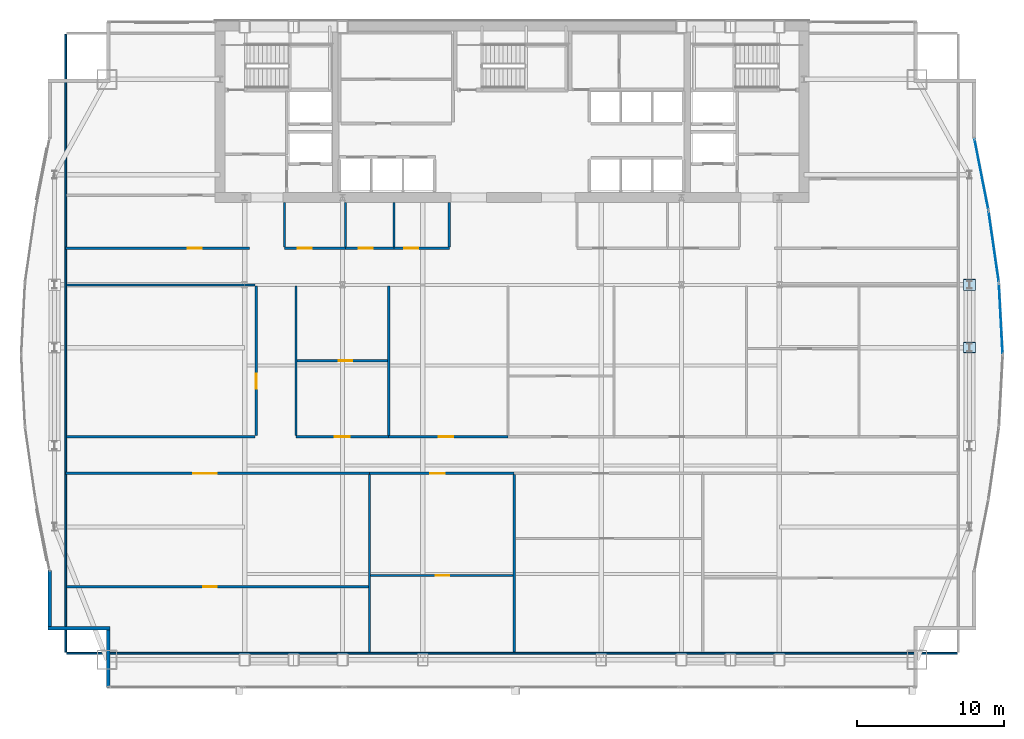
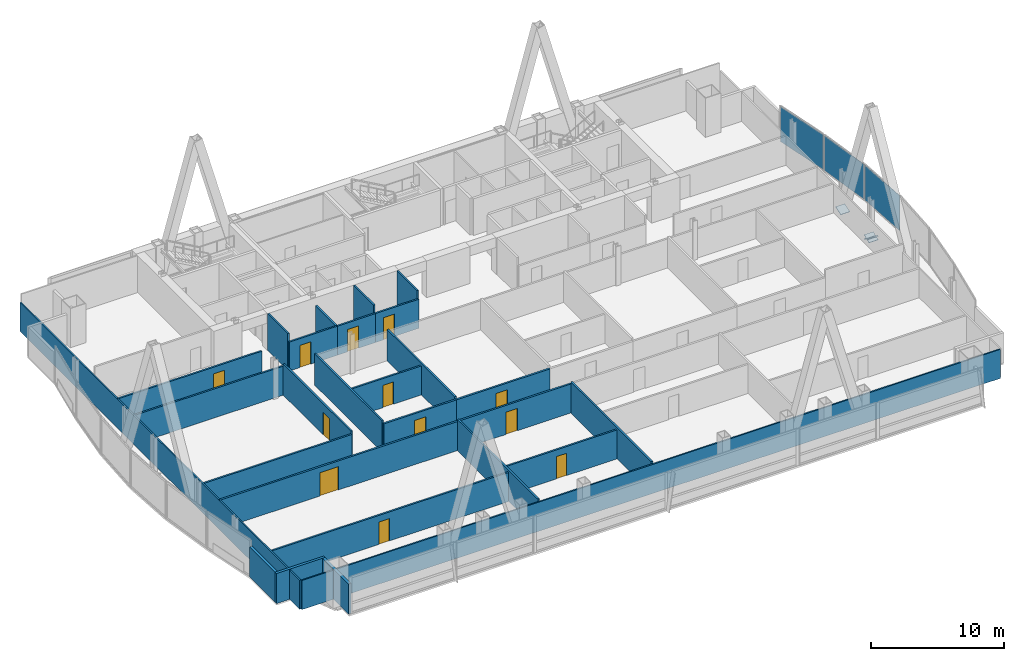
# One storey, part 26 of 31: 27 walls, 12 doors, 6 plates, 12 openings, 3 elements without a shape of their own.
"""IFC4 building model written with IfcOpenShell, lengths in metres."""

from ifc_helpers import new_model, si_unit, direction, frame, frame_2d, origin, origin_2d, place, context, subcontext, project, spatial, polyline, rectangle, outline, extrude, material, layer, layer_set, type_object, element, fill, aggregate, save


model = new_model("IFC4")

# Units and contexts
model_context = context("Model", 3, precision=1e-05, world=origin(), true_north=direction((0.0, 1.0)))
body_context = subcontext(model_context, "Body", "Model", "MODEL_VIEW")
ifc_project = project(units=[si_unit("LENGTHUNIT", "METRE"), si_unit("AREAUNIT", "SQUARE_METRE"), si_unit("VOLUMEUNIT", "CUBIC_METRE"), si_unit("PLANEANGLEUNIT", "RADIAN"), si_unit("MASSUNIT", "GRAM", prefix="KILO")], contexts=[model_context])

# Site, building, storey
site_placement = place(None, origin())
site = spatial("IfcSite", under=ifc_project, at=site_placement, CompositionType="ELEMENT")
building_placement = place(site_placement, origin())
building = spatial("IfcBuilding", under=site, at=building_placement, Name="Khoronbel Lancet Exchange", CompositionType="ELEMENT")
storey_placement = place(building_placement, frame((0.0, 0.0, 168.60009765625)))
storey = spatial("IfcBuildingStorey", under=building, at=storey_placement, Name="L42", CompositionType="ELEMENT", Elevation=168.60009765625)

# Curtain wall, plate
ifc_material_1 = material(Name="Low-E Solar Control Insulating Glass", Category="glass")
curtain_wall_type = type_object("IfcCurtainWallType", Name="CW-4", PredefinedType="NOTDEFINED", material=ifc_material_1)
curtain_wall_1_placement = place(storey_placement, origin())
curtain_wall_1 = element("IfcCurtainWall", 1, at=curtain_wall_1_placement, inside=storey, type_object=curtain_wall_type, Name="Unitised curtain wall CW-L42-E18", PredefinedType="NOTDEFINED")
ifc_material_2 = material(Name="Bronze-Anodised Aluminium 6063-T6", Category="aluminium")
ifc_layer_1 = layer(ifc_material_2, 0.050048828125, Name="Bronze-Anodised Aluminium 6063-T6")
ifc_layer_set_1 = layer_set([ifc_layer_1], Name="Bronze-Anodised Aluminium 6063-T6")
plate_type_1 = type_object("IfcPlateType", Name="PLT-CSP1", PredefinedType="SHEET", material=ifc_layer_set_1)
plate_1_placement = place(storey_placement, frame((69.279296875, 38.31298828125, 0.0849609375), z_axis=(0.0, 0.0, 1.0), x_axis=(0.142256663132, -0.989829804459, 0.0)))
plate_1 = element("IfcPlate", 2, at=plate_1_placement, type_object=plate_type_1, Name="CW4 panel 1.1", PredefinedType="CURTAIN_PANEL", context=body_context, shape_type="SweptSolid", body=[
    extrude(rectangle(XDim=4.810791015625, YDim=0.0380859375, at=origin_2d()), origin(), (0.0, 0.0, 1.0), 3.2099609375),
])
aggregate(curtain_wall_1, [plate_1])

curtain_wall_2_placement = place(storey_placement, origin())
curtain_wall_2 = element("IfcCurtainWall", 3, at=curtain_wall_2_placement, inside=storey, type_object=curtain_wall_type, Name="Unitised curtain wall CW-L42-E19", PredefinedType="NOTDEFINED")
plate_2_placement = place(storey_placement, frame((69.76123046875, 33.404052734375, 0.0849609375), z_axis=(0.0, 0.0, 1.0), x_axis=(0.052536406245, -0.998619009442, 0.0)))
plate_2 = element("IfcPlate", 4, at=plate_2_placement, type_object=plate_type_1, Name="CW4 panel 1.1", PredefinedType="CURTAIN_PANEL", context=body_context, shape_type="SweptSolid", body=[
    extrude(rectangle(XDim=4.7646484375, YDim=0.0380859375, at=origin_2d()), origin(), (0.0, 0.0, 1.0), 3.2099609375),
])
aggregate(curtain_wall_2, [plate_2])

curtain_wall_3_placement = place(storey_placement, origin())
curtain_wall_3 = element("IfcCurtainWall", 5, at=curtain_wall_3_placement, inside=storey, type_object=curtain_wall_type, Name="Unitised curtain wall CW-L42-E17", PredefinedType="NOTDEFINED")
ifc_material_3 = material(Name="Ceramic-Fritted Laminated Insulating Glass", Category="glass")
ifc_layer_2 = layer(ifc_material_3, 0.0419921875, Name="Ceramic-Fritted Laminated Insulating Glass")
ifc_layer_set_2 = layer_set([ifc_layer_2], Name="Ceramic-Fritted Laminated Insulating Glass")
plate_type_2 = type_object("IfcPlateType", Name="PLT-CWP2", PredefinedType="CURTAIN_PANEL", material=ifc_layer_set_2)
plate_3_placement = place(storey_placement, frame((68.443115234375, 43.229736328125, 0.0849609375), z_axis=(0.0, 0.0, 1.0), x_axis=(0.192626724116, -0.981272105563, 0.0)))
plate_3 = element("IfcPlate", 6, at=plate_3_placement, type_object=plate_type_2, Name="CW4 panel 1.1", PredefinedType="CURTAIN_PANEL", context=body_context, shape_type="SweptSolid", body=[
    extrude(rectangle(XDim=4.866943359375, YDim=0.0380859375, at=origin_2d()), origin(), (0.0, 0.0, 1.0), 3.2099609375),
])
aggregate(curtain_wall_3, [plate_3])

# Plates
ifc_material_4 = material(Name="Steel S460", Category="steel")
ifc_layer_3 = layer(ifc_material_4, 0.044921875, Name="Steel S460")
ifc_layer_set_3 = layer_set([ifc_layer_3], Name="Steel S460")
plate_type_3 = type_object("IfcPlateType", Name="PLT-ECP1", PredefinedType="USERDEFINED", material=ifc_layer_set_3)
plate_4_placement = place(storey_placement, frame((68.030029296875, 31.78271484375, -0.182373046875), z_axis=(0.0, 0.525713722958, 0.850661555199), x_axis=(-1.0, 0.0, 0.0)))
element("IfcPlate", 7, at=plate_4_placement, inside=storey, type_object=plate_type_3, Name="Hollow end cap plate PLT-CAP-MEM-MB-T13-E-P-L-1", ObjectType="STIFFENER_PLATE", PredefinedType="USERDEFINED", context=body_context, shape_type="SweptSolid", body=[
    extrude(outline(polyline([(0.0, 0.0), (0.800048828125, 0.0), (0.800048828125, 0.800048828125), (0.0, 0.800048828125), (0.0, 0.0)])), origin(), (0.0, 0.0, -1.0), 0.044921875),
])
plate_5_placement = place(storey_placement, frame((67.22998046875, 31.041015625, -0.11669921875), z_axis=(0.0, -0.368125419582, 0.929776142659), x_axis=(1.0, 0.0, 0.0)))
element("IfcPlate", 8, at=plate_5_placement, inside=storey, type_object=plate_type_3, Name="Hollow end cap plate PLT-CAP-MEM-MB-T13-E-P-R-1", ObjectType="STIFFENER_PLATE", PredefinedType="USERDEFINED", context=body_context, shape_type="SweptSolid", body=[
    extrude(outline(polyline([(0.0, 0.0), (0.800048828125, 0.0), (0.800048828125, 0.7998046875), (0.0, 0.7998046875), (0.0, 0.0)])), origin(), (0.0, 0.0, -1.0), 0.044921875),
])
plate_6_placement = place(storey_placement, frame((67.22998046875, 35.319091796875, -0.123046875), z_axis=(0.0, -0.335659743873, 0.941983299397), x_axis=(1.0, 0.0, 0.0)))
element("IfcPlate", 9, at=plate_6_placement, inside=storey, type_object=plate_type_3, Name="Hollow end cap plate PLT-CAP-MEM-MB-T14-E-P-R-0", ObjectType="STIFFENER_PLATE", PredefinedType="USERDEFINED", context=body_context, shape_type="SweptSolid", body=[
    extrude(outline(polyline([(0.0, 0.0), (0.800048828125, 0.0), (0.800048828125, 0.800048828125), (0.0, 0.800048828125), (0.0, 0.0)])), origin(), (0.0, 0.0, -1.0), 0.044921875),
])

# Walls
ifc_material_5 = material(Name="Precast concrete C40/50", Category="concrete")
ifc_layer_4 = layer(ifc_material_5, 0.25, Name="Precast concrete C40/50")
ifc_layer_set_4 = layer_set([ifc_layer_4], Name="Precast concrete C40/50")
wall_type_1 = type_object("IfcWallType", Name="WL-EXT250", PredefinedType="SOLIDWALL", material=ifc_layer_set_4)
wall_1_placement = place(storey_placement, frame((8.93994140625, 8.27001953125, 0.0), z_axis=(0.0, 0.0, 1.0), x_axis=(0.0, 1.0, 0.0)))
element("IfcWall", 10, at=wall_1_placement, inside=storey, type_object=wall_type_1, Name="Level L42 notched-corner limestone pier 01", PredefinedType="SOLIDWALL", context=body_context, shape_type="SweptSolid", body=[
    extrude(rectangle(XDim=3.909912109375, YDim=0.219970703125, at=frame_2d((1.955078125, 0.0))), origin(), (0.0, 0.0, 1.0), 2.77001953125),
])
wall_2_placement = place(storey_placement, frame((9.050048828125, 12.2900390625, 0.0), z_axis=(0.0, 0.0, 1.0), x_axis=(-1.0, 0.0, 0.0)))
element("IfcWall", 11, at=wall_2_placement, inside=storey, type_object=wall_type_1, Name="Level L42 notched-corner limestone pier 02", PredefinedType="SOLIDWALL", context=body_context, shape_type="SweptSolid", body=[
    extrude(rectangle(XDim=4.219970703125, YDim=0.219970703125, at=frame_2d((2.10986328125, 0.0))), origin(), (0.0, 0.0, 1.0), 2.77001953125),
])
wall_3_placement = place(storey_placement, frame((4.93994140625, 12.39990234375, 0.0), z_axis=(0.0, 0.0, 1.0), x_axis=(0.0, 1.0, 0.0)))
element("IfcWall", 12, at=wall_3_placement, inside=storey, type_object=wall_type_1, Name="Level L42 notched-corner limestone pier 03", PredefinedType="SOLIDWALL", context=body_context, shape_type="SweptSolid", body=[
    extrude(rectangle(XDim=3.828857421875, YDim=0.219970703125, at=frame_2d((1.91455078125, 0.0))), origin(), (0.0, 0.0, 1.0), 2.77001953125),
])
ifc_material_6 = material(Name="Acoustic Metal-Stud & Mineral-Wool Gypsum Partition 120 mm", Category="gypsum")
ifc_layer_5 = layer(ifc_material_6, 0.1201171875, Name="Acoustic Metal-Stud & Mineral-Wool Gypsum Partition 120 mm")
ifc_layer_set_5 = layer_set([ifc_layer_5], Name="Acoustic Metal-Stud & Mineral-Wool Gypsum Partition 120 mm")
wall_type_2 = type_object("IfcWallType", Name="WL-PRT120", PredefinedType="PARTITIONING", material=ifc_layer_set_5)
wall_4_placement = place(storey_placement, frame((20.949951171875, 38.280029296875, 0.0), z_axis=(0.0, 0.0, 1.0), x_axis=(0.0, 1.0, 0.0)))
element("IfcWall", 13, at=wall_4_placement, inside=storey, type_object=wall_type_2, Name="Level L42 interior partition PW-WC-0", PredefinedType="PARTITIONING", context=body_context, shape_type="SweptSolid", body=[
    extrude(rectangle(XDim=3.02001953125, YDim=0.14990234375, at=frame_2d((1.510009765625, 0.0))), origin(), (0.0, 0.0, 1.0), 3.3798828125),
])
wall_5_placement = place(storey_placement, frame((25.10009765625, 38.280029296875, 0.0), z_axis=(0.0, 0.0, 1.0), x_axis=(0.0, 1.0, 0.0)))
element("IfcWall", 14, at=wall_5_placement, inside=storey, type_object=wall_type_2, Name="Level L42 interior partition PW-WC-1", PredefinedType="PARTITIONING", context=body_context, shape_type="SweptSolid", body=[
    extrude(rectangle(XDim=3.02001953125, YDim=0.14990234375, at=frame_2d((1.510009765625, 0.0))), origin(), (0.0, 0.0, 1.0), 2.669921875),
])
for number, where, z_axis, x_axis, name in (
    (15, (28.39990234375, 38.280029296875, 0.0), (0.0, 0.0, 1.0), (0.0, 1.0, 0.0), "Level L42 interior partition PW-WC-2"),
    (16, (32.179931640625, 38.280029296875, 0.0), (0.0, 0.0, 1.0), (0.0, 1.0, 0.0), "Level L42 interior partition PW-WC-3"),
):
    element("IfcWall", number, at=place(storey_placement, frame(where, z_axis=z_axis, x_axis=x_axis)), inside=storey, type_object=wall_type_2, Name=name, PredefinedType="PARTITIONING", context=body_context, shape_type="SweptSolid", body=[
        extrude(rectangle(XDim=3.02001953125, YDim=0.14990234375, at=frame_2d((1.510009765625, 0.0))), origin(), (0.0, 0.0, 1.0), 3.3798828125),
    ])

# Wall, opening, door
wall_6_placement = place(storey_placement, frame((6.094970703125, 15.12939453125, 0.0), z_axis=(0.0, 0.0, 1.0), x_axis=(1.0, 0.0, 0.0)))
wall_6 = element("IfcWall", 17, at=wall_6_placement, inside=storey, type_object=wall_type_2, Name="Level L42 interior partition PW-Z2S-H1", PredefinedType="PARTITIONING", context=body_context, shape_type="SweptSolid", body=[
    extrude(rectangle(XDim=20.566650390625, YDim=0.14990234375, at=frame_2d((10.283203125, 0.0))), origin(), (0.0, 0.0, 1.0), 2.669921875),
])
opening_1_placement = place(wall_6_placement, frame((9.3203125, 0.0, 0.0)))
opening_1 = element("IfcOpeningElement", 18, at=opening_1_placement, cuts=wall_6, Name="Opening D5", PredefinedType="OPENING", context=body_context, shape_type="SweptSolid", body=[
    extrude(rectangle(XDim=0.89990234375, YDim=2.050048828125, at=frame_2d((0.449951171875, 1.02490234375))), frame((0.0, 0.0849609375, 0.0), z_axis=(0.0, -1.0, 0.0), x_axis=(1.0, 0.0, 0.0)), (0.0, 0.0, 1.0), 0.169921875),
])
ifc_material_7 = material(Name="Acoustic Timber Pantry & Support Door", Category="wood")
door_type_1 = type_object("IfcDoorType", Name="DR-D5", OperationType="NOTDEFINED", PredefinedType="DOOR", material=ifc_material_7)
door_1_placement = place(opening_1_placement, origin())
door_1 = element("IfcDoor", 19, at=door_1_placement, inside=storey, type_object=door_type_1, Name="Z2S inner door 1 L42-1", OperationType="SINGLE_SWING_LEFT", OverallHeight=2.050048828125, OverallWidth=0.89990234375, PredefinedType="DOOR", context=body_context, shape_type="SweptSolid", body=[
    extrude(rectangle(XDim=0.89990234375, YDim=2.050048828125, at=frame_2d((0.449951171875, 1.02490234375))), frame((0.0, 0.02490234375, 0.0), z_axis=(0.0, -1.0, 0.0), x_axis=(1.0, 0.0, 0.0)), (0.0, 0.0, 1.0), 0.050048828125),
])
fill(opening_1, door_1)

wall_7_placement = place(storey_placement, frame((26.821533203125, 15.89208984375, 0.0), z_axis=(0.0, 0.0, 1.0), x_axis=(1.0, 0.0, 0.0)))
wall_7 = element("IfcWall", 20, at=wall_7_placement, inside=storey, type_object=wall_type_2, Name="Level L42 interior partition PW-Z2S-H2", PredefinedType="PARTITIONING", context=body_context, shape_type="SweptSolid", body=[
    extrude(rectangle(XDim=9.69775390625, YDim=0.14990234375, at=frame_2d((4.848876953125, 0.0))), origin(), (0.0, 0.0, 1.0), 2.669921875),
])
opening_2_placement = place(wall_7_placement, frame((4.43603515625, 0.0, 0.0)))
opening_2 = element("IfcOpeningElement", 21, at=opening_2_placement, cuts=wall_7, Name="Opening D5", PredefinedType="OPENING", context=body_context, shape_type="SweptSolid", body=[
    extrude(rectangle(XDim=0.89990234375, YDim=2.050048828125, at=frame_2d((0.449951171875, 1.02490234375))), frame((0.0, 0.0849609375, 0.0), z_axis=(0.0, -1.0, 0.0), x_axis=(1.0, 0.0, 0.0)), (0.0, 0.0, 1.0), 0.169921875),
])
door_2_placement = place(opening_2_placement, origin())
door_2 = element("IfcDoor", 22, at=door_2_placement, inside=storey, type_object=door_type_1, Name="Z2S inner door 2 L42-1", OperationType="SINGLE_SWING_LEFT", OverallHeight=2.050048828125, OverallWidth=0.89990234375, PredefinedType="DOOR", context=body_context, shape_type="SweptSolid", body=[
    extrude(rectangle(XDim=0.89990234375, YDim=2.050048828125, at=frame_2d((0.449951171875, 1.02490234375))), frame((0.0, 0.02490234375, 0.0), z_axis=(0.0, -1.0, 0.0), x_axis=(1.0, 0.0, 0.0)), (0.0, 0.0, 1.0), 0.050048828125),
])
fill(opening_2, door_2)

wall_8_placement = place(storey_placement, frame((21.81005859375, 30.52490234375, 0.0), z_axis=(0.0, 0.0, 1.0), x_axis=(1.0, 0.0, 0.0)))
wall_8 = element("IfcWall", 23, at=wall_8_placement, inside=storey, type_object=wall_type_2, Name="Level L42 interior partition PW-Z2N-H1", PredefinedType="PARTITIONING", context=body_context, shape_type="SweptSolid", body=[
    extrude(rectangle(XDim=6.159423828125, YDim=0.14990234375, at=frame_2d((3.07958984375, 0.0))), origin(), (0.0, 0.0, 1.0), 2.669921875),
])
opening_3_placement = place(wall_8_placement, frame((2.84375, 0.0, 0.0)))
opening_3 = element("IfcOpeningElement", 24, at=opening_3_placement, cuts=wall_8, Name="Opening D5", PredefinedType="OPENING", context=body_context, shape_type="SweptSolid", body=[
    extrude(rectangle(XDim=0.89990234375, YDim=2.050048828125, at=frame_2d((0.449951171875, 1.02490234375))), frame((0.0, 0.0849609375, 0.0), z_axis=(0.0, -1.0, 0.0), x_axis=(1.0, 0.0, 0.0)), (0.0, 0.0, 1.0), 0.169921875),
])
door_3_placement = place(opening_3_placement, origin())
door_3 = element("IfcDoor", 25, at=door_3_placement, inside=storey, type_object=door_type_1, Name="Z2N inner door 1 L42-1", OperationType="SINGLE_SWING_LEFT", OverallHeight=2.050048828125, OverallWidth=0.89990234375, PredefinedType="DOOR", context=body_context, shape_type="SweptSolid", body=[
    extrude(rectangle(XDim=0.89990234375, YDim=2.050048828125, at=frame_2d((0.449951171875, 1.02490234375))), frame((0.0, 0.02490234375, 0.0), z_axis=(0.0, -1.0, 0.0), x_axis=(1.0, 0.0, 0.0)), (0.0, 0.0, 1.0), 0.050048828125),
])
fill(opening_3, door_3)

# Walls
wall_9_placement = place(storey_placement, frame((6.030029296875, 10.6650390625, 0.0), z_axis=(0.0, 0.0, 1.0), x_axis=(0.0, 1.0, 0.0)))
element("IfcWall", 26, at=wall_9_placement, inside=storey, type_object=wall_type_2, Name="Level L42 interior partition PW-LIN-W", PredefinedType="PARTITIONING", context=body_context, shape_type="SweptSolid", body=[
    extrude(rectangle(XDim=42.10986328125, YDim=0.1201171875, at=frame_2d((21.054931640625, 0.0))), origin(), (0.0, 0.0, 1.0), 2.669921875),
])
wall_10_placement = place(storey_placement, frame((6.094970703125, 10.60009765625, 0.0), z_axis=(0.0, 0.0, 1.0), x_axis=(1.0, 0.0, 0.0)))
element("IfcWall", 27, at=wall_10_placement, inside=storey, type_object=wall_type_2, Name="Level L42 interior partition PW-LIN-S", PredefinedType="PARTITIONING", context=body_context, shape_type="SweptSolid", body=[
    extrude(rectangle(XDim=60.7099609375, YDim=0.1201171875, at=frame_2d((30.35498046875, 0.0))), origin(), (0.0, 0.0, 1.0), 2.669921875),
])

# Wall, opening, door
ifc_material_8 = material(Name="Fire-Rated Twin-Stud Acoustic Gypsum Partition 150 mm", Category="gypsum")
ifc_layer_6 = layer(ifc_material_8, 0.14990234375, Name="Fire-Rated Twin-Stud Acoustic Gypsum Partition 150 mm")
ifc_layer_set_6 = layer_set([ifc_layer_6], Name="Fire-Rated Twin-Stud Acoustic Gypsum Partition 150 mm")
wall_type_3 = type_object("IfcWallType", Name="WL-PRT150C", PredefinedType="PARTITIONING", material=ifc_layer_set_6)
wall_11_placement = place(storey_placement, frame((20.949951171875, 38.199951171875, 0.0), z_axis=(0.0, 0.0, 1.0), x_axis=(1.0, 0.0, 0.0)))
wall_11 = element("IfcWall", 28, at=wall_11_placement, inside=storey, type_object=wall_type_3, Name="Level L42 interior partition PW-WC-S1", PredefinedType="PARTITIONING", context=body_context, shape_type="SweptSolid", body=[
    extrude(rectangle(XDim=4.150146484375, YDim=0.14990234375, at=frame_2d((2.0751953125, 0.0))), origin(), (0.0, 0.0, 1.0), 2.669921875),
])
opening_4_placement = place(wall_11_placement, frame((0.89990234375, 0.0, 0.0)))
opening_4 = element("IfcOpeningElement", 29, at=opening_4_placement, cuts=wall_11, Name="Opening D4", PredefinedType="OPENING", context=body_context, shape_type="SweptSolid", body=[
    extrude(rectangle(XDim=0.949951171875, YDim=2.050048828125, at=frame_2d((0.47509765625, 1.02490234375))), frame((0.0, 0.0849609375, 0.0), z_axis=(0.0, -1.0, 0.0), x_axis=(1.0, 0.0, 0.0)), (0.0, 0.0, 1.0), 0.169921875),
])
ifc_material_9 = material(Name="Moisture-Resistant HPL Washroom Door", Category="wood")
door_type_2 = type_object("IfcDoorType", Name="DR-D4", OperationType="NOTDEFINED", PredefinedType="DOOR", material=ifc_material_9)
door_4_placement = place(opening_4_placement, origin())
door_4 = element("IfcDoor", 30, at=door_4_placement, inside=storey, type_object=door_type_2, Name="Male washroom door L42-1", OperationType="SINGLE_SWING_RIGHT", OverallHeight=2.050048828125, OverallWidth=0.949951171875, PredefinedType="DOOR", context=body_context, shape_type="SweptSolid", body=[
    extrude(rectangle(XDim=0.949951171875, YDim=2.050048828125, at=frame_2d((0.47509765625, 1.02490234375))), frame((0.0, 0.02490234375, 0.0), z_axis=(0.0, -1.0, 0.0), x_axis=(1.0, 0.0, 0.0)), (0.0, 0.0, 1.0), 0.050048828125),
])
fill(opening_4, door_4)

wall_12_placement = place(storey_placement, frame((25.10009765625, 38.199951171875, 0.0), z_axis=(0.0, 0.0, 1.0), x_axis=(1.0, 0.0, 0.0)))
wall_12 = element("IfcWall", 31, at=wall_12_placement, inside=storey, type_object=wall_type_3, Name="Level L42 interior partition PW-WC-S2", PredefinedType="PARTITIONING", context=body_context, shape_type="SweptSolid", body=[
    extrude(rectangle(XDim=3.2998046875, YDim=0.14990234375, at=frame_2d((1.64990234375, 0.0))), origin(), (0.0, 0.0, 1.0), 2.669921875),
])
opening_5_placement = place(wall_12_placement, frame((0.89990234375, 0.0, 0.0)))
opening_5 = element("IfcOpeningElement", 32, at=opening_5_placement, cuts=wall_12, Name="Opening D4", PredefinedType="OPENING", context=body_context, shape_type="SweptSolid", body=[
    extrude(rectangle(XDim=0.949951171875, YDim=2.050048828125, at=frame_2d((0.47509765625, 1.02490234375))), frame((0.0, 0.0849609375, 0.0), z_axis=(0.0, -1.0, 0.0), x_axis=(1.0, 0.0, 0.0)), (0.0, 0.0, 1.0), 0.169921875),
])
door_5_placement = place(opening_5_placement, origin())
door_5 = element("IfcDoor", 33, at=door_5_placement, inside=storey, type_object=door_type_2, Name="Female washroom door L42-1", OperationType="SINGLE_SWING_LEFT", OverallHeight=2.050048828125, OverallWidth=0.949951171875, PredefinedType="DOOR", context=body_context, shape_type="SweptSolid", body=[
    extrude(rectangle(XDim=0.949951171875, YDim=2.050048828125, at=frame_2d((0.47509765625, 1.02490234375))), frame((0.0, 0.02490234375, 0.0), z_axis=(0.0, -1.0, 0.0), x_axis=(1.0, 0.0, 0.0)), (0.0, 0.0, 1.0), 0.050048828125),
])
fill(opening_5, door_5)

wall_13_placement = place(storey_placement, frame((28.39990234375, 38.199951171875, 0.0), z_axis=(0.0, 0.0, 1.0), x_axis=(1.0, 0.0, 0.0)))
wall_13 = element("IfcWall", 34, at=wall_13_placement, inside=storey, type_object=wall_type_3, Name="Level L42 interior partition PW-WC-S3", PredefinedType="PARTITIONING", context=body_context, shape_type="SweptSolid", body=[
    extrude(rectangle(XDim=3.780029296875, YDim=0.14990234375, at=frame_2d((1.89013671875, 0.0))), origin(), (0.0, 0.0, 1.0), 2.669921875),
])
opening_6_placement = place(wall_13_placement, frame((0.699951171875, 0.0, 0.0)))
opening_6 = element("IfcOpeningElement", 35, at=opening_6_placement, cuts=wall_13, Name="Opening D4", PredefinedType="OPENING", context=body_context, shape_type="SweptSolid", body=[
    extrude(rectangle(XDim=0.949951171875, YDim=2.050048828125, at=frame_2d((0.47509765625, 1.02490234375))), frame((0.0, 0.0849609375, 0.0), z_axis=(0.0, -1.0, 0.0), x_axis=(1.0, 0.0, 0.0)), (0.0, 0.0, 1.0), 0.169921875),
])
door_6_placement = place(opening_6_placement, origin())
door_6 = element("IfcDoor", 36, at=door_6_placement, inside=storey, type_object=door_type_2, Name="Accessible WC door L42-1", OperationType="SINGLE_SWING_RIGHT", OverallHeight=2.050048828125, OverallWidth=0.949951171875, PredefinedType="DOOR", context=body_context, shape_type="SweptSolid", body=[
    extrude(rectangle(XDim=0.949951171875, YDim=2.050048828125, at=frame_2d((0.47509765625, 1.02490234375))), frame((0.0, 0.02490234375, 0.0), z_axis=(0.0, -1.0, 0.0), x_axis=(1.0, 0.0, 0.0)), (0.0, 0.0, 1.0), 0.050048828125),
])
fill(opening_6, door_6)

wall_14_placement = place(storey_placement, frame((6.030029296875, 38.199951171875, 0.0), z_axis=(0.0, 0.0, 1.0), x_axis=(1.0, 0.0, 0.0)))
wall_14 = element("IfcWall", 37, at=wall_14_placement, inside=storey, type_object=wall_type_3, Name="Level L42 interior partition PW-NW-S", PredefinedType="PARTITIONING", context=body_context, shape_type="SweptSolid", body=[
    extrude(rectangle(XDim=12.52001953125, YDim=0.14990234375, at=frame_2d((6.260009765625, 0.0))), origin(), (0.0, 0.0, 1.0), 2.669921875),
])
opening_7_placement = place(wall_14_placement, frame((8.320068359375, 0.0, 0.0)))
opening_7 = element("IfcOpeningElement", 38, at=opening_7_placement, cuts=wall_14, Name="Opening D1", PredefinedType="OPENING", context=body_context, shape_type="SweptSolid", body=[
    extrude(rectangle(XDim=0.949951171875, YDim=2.050048828125, at=frame_2d((0.47509765625, 1.02490234375))), frame((0.0, 0.0849609375, 0.0), z_axis=(0.0, -1.0, 0.0), x_axis=(1.0, 0.0, 0.0)), (0.0, 0.0, 1.0), 0.169921875),
])
ifc_material_10 = material(Name="Acoustic Veneered Timber & Bronze Frame Door", Category="wood")
door_type_3 = type_object("IfcDoorType", Name="DR-D1", OperationType="NOTDEFINED", PredefinedType="DOOR", material=ifc_material_10)
door_7_placement = place(opening_7_placement, origin())
door_7 = element("IfcDoor", 39, at=door_7_placement, inside=storey, type_object=door_type_3, Name="NW corner room door L42-1", OperationType="SINGLE_SWING_LEFT", OverallHeight=2.050048828125, OverallWidth=0.949951171875, PredefinedType="DOOR", context=body_context, shape_type="SweptSolid", body=[
    extrude(rectangle(XDim=0.949951171875, YDim=2.050048828125, at=frame_2d((0.47509765625, 1.02490234375))), frame((0.0, 0.02490234375, 0.0), z_axis=(0.0, -1.0, 0.0), x_axis=(1.0, 0.0, 0.0)), (0.0, 0.0, 1.0), 0.050048828125),
])
fill(opening_7, door_7)

# Walls
for number, where, z_axis, x_axis, name in (
    (40, (26.741455078125, 10.6650390625, 0.0), (0.0, 0.0, 1.0), (0.0, 1.0, 0.0), "Level L42 interior partition PW-Z2S-V1"),
    (41, (36.599365234375, 10.6650390625, 0.0), (0.0, 0.0, 1.0), (0.0, 1.0, 0.0), "Level L42 interior partition PW-Z2S-V2"),
):
    element("IfcWall", number, at=place(storey_placement, frame(where, z_axis=z_axis, x_axis=x_axis)), inside=storey, type_object=wall_type_3, Name=name, PredefinedType="PARTITIONING", context=body_context, shape_type="SweptSolid", body=[
        extrude(rectangle(XDim=12.099853515625, YDim=0.14990234375, at=frame_2d((6.0498046875, 0.0))), origin(), (0.0, 0.0, 1.0), 2.869873046875),
    ])

# Wall, opening, door
wall_15_placement = place(storey_placement, frame((19.02001953125, 25.429931640625, 0.0), z_axis=(0.0, 0.0, 1.0), x_axis=(0.0, 1.0, 0.0)))
wall_15 = element("IfcWall", 42, at=wall_15_placement, inside=storey, type_object=wall_type_3, Name="Level L42 interior partition PW-Z2-WLK", PredefinedType="PARTITIONING", context=body_context, shape_type="SweptSolid", body=[
    extrude(rectangle(XDim=10.190185546875, YDim=0.14990234375, at=frame_2d((5.09521484375, 0.0))), origin(), (0.0, 0.0, 1.0), 2.869873046875),
])
opening_8_placement = place(wall_15_placement, frame((3.199951171875, 0.0, 0.0)))
opening_8 = element("IfcOpeningElement", 43, at=opening_8_placement, cuts=wall_15, Name="Opening D2", PredefinedType="OPENING", context=body_context, shape_type="SweptSolid", body=[
    extrude(rectangle(XDim=1.0, YDim=2.050048828125, at=frame_2d((0.5, 1.02490234375))), frame((0.0, 0.0849609375, 0.0), z_axis=(0.0, -1.0, 0.0), x_axis=(1.0, 0.0, 0.0)), (0.0, 0.0, 1.0), 0.169921875),
])
door_type_4 = type_object("IfcDoorType", Name="DR-D2", OperationType="NOTDEFINED", PredefinedType="DOOR", material=ifc_material_10)
door_8_placement = place(opening_8_placement, origin())
door_8 = element("IfcDoor", 44, at=door_8_placement, inside=storey, type_object=door_type_4, Name="West mid-band room door L42-1", OperationType="SINGLE_SWING_LEFT", OverallHeight=2.050048828125, OverallWidth=1.0, PredefinedType="DOOR", context=body_context, shape_type="SweptSolid", body=[
    extrude(rectangle(XDim=1.0, YDim=2.050048828125, at=frame_2d((0.5, 1.02490234375))), frame((0.0, 0.02490234375, 0.0), z_axis=(0.0, -1.0, 0.0), x_axis=(1.0, 0.0, 0.0)), (0.0, 0.0, 1.0), 0.050048828125),
])
fill(opening_8, door_8)

# Walls
for number, where, z_axis, x_axis, name in (
    (45, (6.094970703125, 25.35009765625, 0.0), (0.0, 0.0, 1.0), (1.0, 0.0, 0.0), "Level L42 interior partition PW-Z2-WS"),
    (46, (6.094970703125, 35.699951171875, 0.0), (0.0, 0.0, 1.0), (1.0, 0.0, 0.0), "Level L42 interior partition PW-Z2-WN"),
):
    element("IfcWall", number, at=place(storey_placement, frame(where, z_axis=z_axis, x_axis=x_axis)), inside=storey, type_object=wall_type_3, Name=name, PredefinedType="PARTITIONING", context=body_context, shape_type="SweptSolid", body=[
        extrude(rectangle(XDim=12.844970703125, YDim=0.14990234375, at=frame_2d((6.42236328125, 0.0))), origin(), (0.0, 0.0, 1.0), 2.669921875),
    ])
for number, where, z_axis, x_axis, name in (
    (47, (21.72998046875, 25.43505859375, 0.0), (0.0, 0.0, 1.0), (0.0, 1.0, 0.0), "Level L42 interior partition PW-Z2-ELK"),
    (48, (28.049560546875, 25.43505859375, 0.0), (0.0, 0.0, 1.0), (0.0, 1.0, 0.0), "Level L42 interior partition PW-Z2N-V1"),
):
    element("IfcWall", number, at=place(storey_placement, frame(where, z_axis=z_axis, x_axis=x_axis)), inside=storey, type_object=wall_type_3, Name=name, PredefinedType="PARTITIONING", context=body_context, shape_type="SweptSolid", body=[
        extrude(rectangle(XDim=10.18505859375, YDim=0.14990234375, at=frame_2d((5.092529296875, 0.0))), origin(), (0.0, 0.0, 1.0), 2.869873046875),
    ])

# Wall, opening, door
ifc_material_11 = material(Name="Fire-Rated Twin-Stud Acoustic Gypsum Partition 160 mm", Category="gypsum")
ifc_layer_7 = layer(ifc_material_11, 0.159912109375, Name="Fire-Rated Twin-Stud Acoustic Gypsum Partition 160 mm")
ifc_layer_set_7 = layer_set([ifc_layer_7], Name="Fire-Rated Twin-Stud Acoustic Gypsum Partition 160 mm")
wall_type_4 = type_object("IfcWallType", Name="WL-PRT160C", PredefinedType="PARTITIONING", material=ifc_layer_set_7)
wall_16_placement = place(storey_placement, frame((6.030029296875, 22.85009765625, 0.0), z_axis=(0.0, 0.0, 1.0), x_axis=(1.0, 0.0, 0.0)))
wall_16 = element("IfcWall", 49, at=wall_16_placement, inside=storey, type_object=wall_type_4, Name="Level L42 interior partition PW-Z2S-COR1", PredefinedType="PARTITIONING", context=body_context, shape_type="SweptSolid", body=[
    extrude(rectangle(XDim=20.71142578125, YDim=0.159912109375, at=frame_2d((10.355712890625, 0.0))), origin(), (0.0, 0.0, 1.0), 2.669921875),
])
opening_9_placement = place(wall_16_placement, frame((8.69873046875, 0.0, 0.0)))
opening_9 = element("IfcOpeningElement", 50, at=opening_9_placement, cuts=wall_16, Name="Opening D3", PredefinedType="OPENING", context=body_context, shape_type="SweptSolid", body=[
    extrude(rectangle(XDim=1.60009765625, YDim=2.14990234375, at=frame_2d((0.800048828125, 1.074951171875))), frame((0.0, 0.08984375, 0.0), z_axis=(0.0, -1.0, 0.0), x_axis=(1.0, 0.0, 0.0)), (0.0, 0.0, 1.0), 0.179931640625),
])
ifc_material_12 = material(Name="Glazed Bronze-Framed Double Suite Door", Category="aluminium")
door_type_5 = type_object("IfcDoorType", Name="DR-D3", OperationType="NOTDEFINED", PredefinedType="DOOR", material=ifc_material_12)
door_9_placement = place(opening_9_placement, origin())
door_9 = element("IfcDoor", 51, at=door_9_placement, inside=storey, type_object=door_type_5, Name="Z2S bay 1 door L42-1", OperationType="DOUBLE_DOOR_SINGLE_SWING", OverallHeight=2.14990234375, OverallWidth=1.60009765625, PredefinedType="DOOR", context=body_context, shape_type="SweptSolid", body=[
    extrude(rectangle(XDim=1.60009765625, YDim=2.14990234375, at=frame_2d((0.800048828125, 1.074951171875))), frame((0.0, 0.02490234375, 0.0), z_axis=(0.0, -1.0, 0.0), x_axis=(1.0, 0.0, 0.0)), (0.0, 0.0, 1.0), 0.050048828125),
])
fill(opening_9, door_9)

wall_17_placement = place(storey_placement, frame((26.741455078125, 22.85009765625, 0.0), z_axis=(0.0, 0.0, 1.0), x_axis=(1.0, 0.0, 0.0)))
wall_17 = element("IfcWall", 52, at=wall_17_placement, inside=storey, type_object=wall_type_4, Name="Level L42 interior partition PW-Z2S-COR2", PredefinedType="PARTITIONING", context=body_context, shape_type="SweptSolid", body=[
    extrude(rectangle(XDim=9.85791015625, YDim=0.159912109375, at=frame_2d((4.928955078125, 0.0))), origin(), (0.0, 0.0, 1.0), 2.669921875),
])
opening_10_placement = place(wall_17_placement, frame((4.140380859375, 0.0, 0.0)))
opening_10 = element("IfcOpeningElement", 53, at=opening_10_placement, cuts=wall_17, Name="Opening D2", PredefinedType="OPENING", context=body_context, shape_type="SweptSolid", body=[
    extrude(rectangle(XDim=1.0, YDim=2.050048828125, at=frame_2d((0.5, 1.02490234375))), frame((0.0, 0.08984375, 0.0), z_axis=(0.0, -1.0, 0.0), x_axis=(1.0, 0.0, 0.0)), (0.0, 0.0, 1.0), 0.179931640625),
])
door_10_placement = place(opening_10_placement, origin())
door_10 = element("IfcDoor", 54, at=door_10_placement, inside=storey, type_object=door_type_4, Name="Z2S bay 2 door L42-1", OperationType="SINGLE_SWING_RIGHT", OverallHeight=2.050048828125, OverallWidth=1.0, PredefinedType="DOOR", context=body_context, shape_type="SweptSolid", body=[
    extrude(rectangle(XDim=1.0, YDim=2.050048828125, at=frame_2d((0.5, 1.02490234375))), frame((0.0, 0.02490234375, 0.0), z_axis=(0.0, -1.0, 0.0), x_axis=(1.0, 0.0, 0.0)), (0.0, 0.0, 1.0), 0.050048828125),
])
fill(opening_10, door_10)

wall_18_placement = place(storey_placement, frame((21.72998046875, 25.35009765625, 0.0), z_axis=(0.0, 0.0, 1.0), x_axis=(1.0, 0.0, 0.0)))
wall_18 = element("IfcWall", 55, at=wall_18_placement, inside=storey, type_object=wall_type_4, Name="Level L42 interior partition PW-Z2N-COR1", PredefinedType="PARTITIONING", context=body_context, shape_type="SweptSolid", body=[
    extrude(rectangle(XDim=6.319580078125, YDim=0.159912109375, at=frame_2d((3.15966796875, 0.0))), origin(), (0.0, 0.0, 1.0), 2.669921875),
])
opening_11_placement = place(wall_18_placement, frame((2.654296875, 0.0, 0.0)))
opening_11 = element("IfcOpeningElement", 56, at=opening_11_placement, cuts=wall_18, Name="Opening D2", PredefinedType="OPENING", context=body_context, shape_type="SweptSolid", body=[
    extrude(rectangle(XDim=1.0, YDim=2.050048828125, at=frame_2d((0.5, 1.02490234375))), frame((0.0, 0.08984375, 0.0), z_axis=(0.0, -1.0, 0.0), x_axis=(1.0, 0.0, 0.0)), (0.0, 0.0, 1.0), 0.179931640625),
])
door_11_placement = place(opening_11_placement, origin())
door_11 = element("IfcDoor", 57, at=door_11_placement, inside=storey, type_object=door_type_4, Name="Z2N bay 1 door L42-1", OperationType="SINGLE_SWING_RIGHT", OverallHeight=2.050048828125, OverallWidth=1.0, PredefinedType="DOOR", context=body_context, shape_type="SweptSolid", body=[
    extrude(rectangle(XDim=1.0, YDim=2.050048828125, at=frame_2d((0.5, 1.02490234375))), frame((0.0, 0.02490234375, 0.0), z_axis=(0.0, -1.0, 0.0), x_axis=(1.0, 0.0, 0.0)), (0.0, 0.0, 1.0), 0.050048828125),
])
fill(opening_11, door_11)

wall_19_placement = place(storey_placement, frame((28.049560546875, 25.35009765625, 0.0), z_axis=(0.0, 0.0, 1.0), x_axis=(1.0, 0.0, 0.0)))
wall_19 = element("IfcWall", 58, at=wall_19_placement, inside=storey, type_object=wall_type_4, Name="Level L42 interior partition PW-Z2N-COR2", PredefinedType="PARTITIONING", context=body_context, shape_type="SweptSolid", body=[
    extrude(rectangle(XDim=8.125244140625, YDim=0.159912109375, at=frame_2d((4.0625, 0.0))), origin(), (0.0, 0.0, 1.0), 2.669921875),
])
opening_12_placement = place(wall_19_placement, frame((3.41259765625, 0.0, 0.0)))
opening_12 = element("IfcOpeningElement", 59, at=opening_12_placement, cuts=wall_19, Name="Opening D2", PredefinedType="OPENING", context=body_context, shape_type="SweptSolid", body=[
    extrude(rectangle(XDim=1.0, YDim=2.050048828125, at=frame_2d((0.5, 1.02490234375))), frame((0.0, 0.08984375, 0.0), z_axis=(0.0, -1.0, 0.0), x_axis=(1.0, 0.0, 0.0)), (0.0, 0.0, 1.0), 0.179931640625),
])
door_12_placement = place(opening_12_placement, origin())
door_12 = element("IfcDoor", 60, at=door_12_placement, inside=storey, type_object=door_type_4, Name="Z2N bay 2 door L42-1", OperationType="SINGLE_SWING_RIGHT", OverallHeight=2.050048828125, OverallWidth=1.0, PredefinedType="DOOR", context=body_context, shape_type="SweptSolid", body=[
    extrude(rectangle(XDim=1.0, YDim=2.050048828125, at=frame_2d((0.5, 1.02490234375))), frame((0.0, 0.02490234375, 0.0), z_axis=(0.0, -1.0, 0.0), x_axis=(1.0, 0.0, 0.0)), (0.0, 0.0, 1.0), 0.050048828125),
])
fill(opening_12, door_12)

save(model, "model.ifc")
